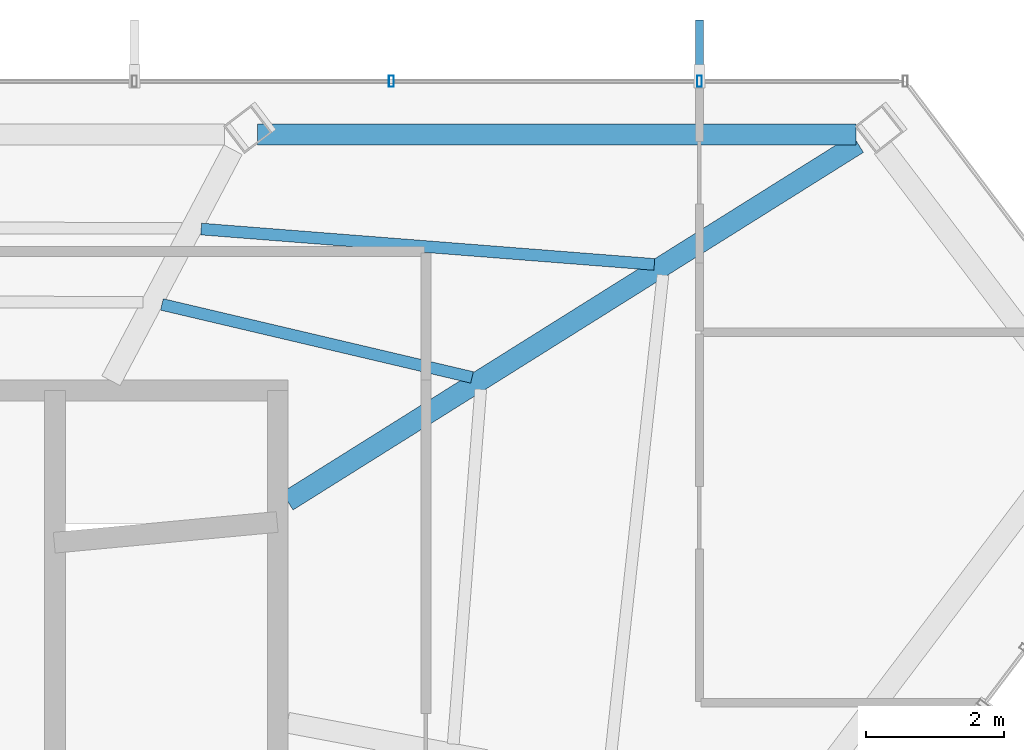
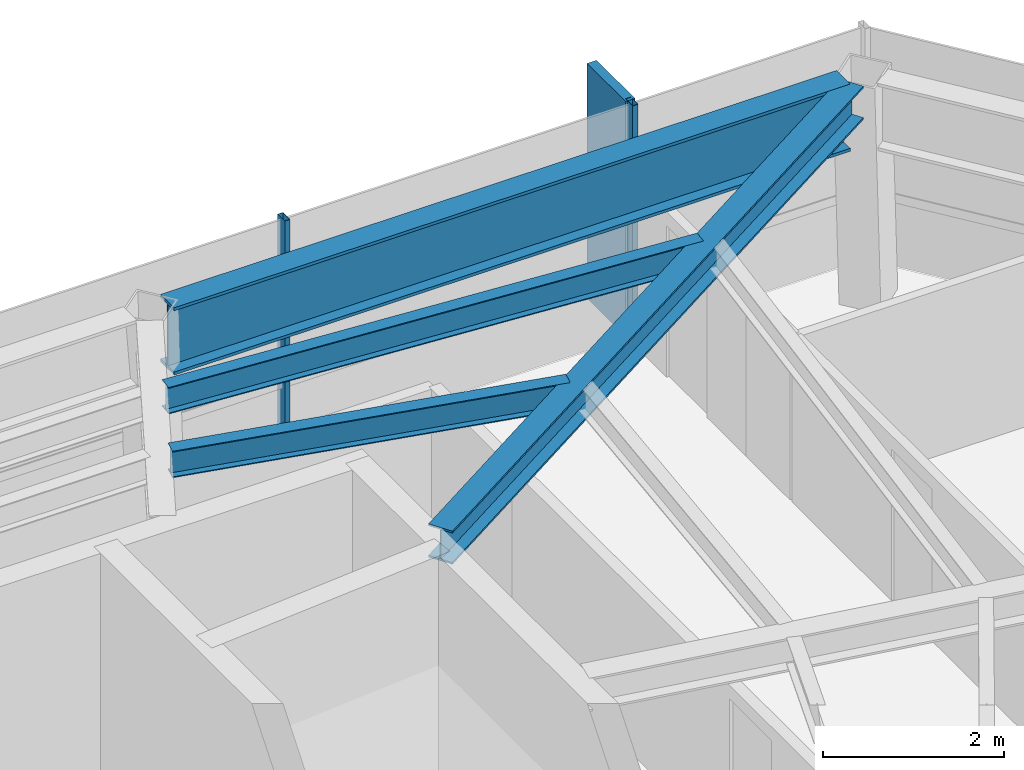
# One storey, part 19 of 26: 4 beams, 3 members, 1 element without a shape of its own.
"""IFC4 building model written with IfcOpenShell, lengths in metres."""

from ifc_helpers import new_model, si_unit, direction, frame, origin, origin_2d, place, context, subcontext, project, spatial, rectangle, hollow_rectangle, i_section, extrude, material, layer, layer_set, material_profile, profile_set, type_object, element, aggregate, save


model = new_model("IFC4")

# Units and contexts
model_context = context("Model", 3, precision=1e-05, world=origin(), true_north=direction((0.0, 1.0)))
body_context = subcontext(model_context, "Body", "Model", "MODEL_VIEW")
ifc_project = project(units=[si_unit("LENGTHUNIT", "METRE"), si_unit("AREAUNIT", "SQUARE_METRE"), si_unit("VOLUMEUNIT", "CUBIC_METRE"), si_unit("PLANEANGLEUNIT", "RADIAN"), si_unit("MASSUNIT", "GRAM", prefix="KILO")], contexts=[model_context])

# Site, building, storey
site_placement = place(None, origin())
site = spatial("IfcSite", under=ifc_project, at=site_placement, CompositionType="ELEMENT")
building_placement = place(site_placement, origin())
building = spatial("IfcBuilding", under=site, at=building_placement, Name="Zarrinselat Tower", CompositionType="ELEMENT")
storey_placement = place(building_placement, frame((0.0, 0.0, 265.199951171875)))
storey = spatial("IfcBuildingStorey", under=building, at=storey_placement, Name="L67", CompositionType="ELEMENT", Elevation=265.199951171875)

# Beams
ifc_material_1 = material(Name="Steel S355J2", Category="steel")
ifc_material_profile_1 = material_profile(ifc_material_1, i_section(OverallWidth=0.300048828125, OverallDepth=0.449951171875, WebThickness=0.013916015625, FlangeThickness=0.02587890625, at=origin_2d()), Name="HEB 450")
ifc_profile_set_1 = profile_set([ifc_material_profile_1], Name="Steel S355J2")
beam_type_1 = type_object("IfcBeamType", Name="BM-HEB450", PredefinedType="BEAM", material=ifc_profile_set_1)
beam_1_placement = place(storey_placement, frame((48.35009765625, 41.800048828125, 2.955078125), z_axis=(0.847257074066, 0.53118306679, 0.0), x_axis=(-0.53118306679, 0.847257074066, 0.0)))
element("IfcBeam", 1, at=beam_1_placement, inside=storey, type_object=beam_type_1, Name="L67 Radial Primary Girder RG01", PredefinedType="BEAM", context=body_context, shape_type="SweptSolid", body=[
    extrude(i_section(OverallWidth=0.300048828125, OverallDepth=0.449951171875, WebThickness=0.013916015625, FlangeThickness=0.02587890625, at=origin_2d()), origin(), (0.0, 0.0, 1.0), 9.7255859375),
])
ifc_material_2 = material(Name="Steel S460M", Category="steel")
ifc_material_profile_2 = material_profile(ifc_material_2, i_section(OverallWidth=0.302001953125, OverallDepth=0.909912109375, WebThickness=0.02099609375, FlangeThickness=0.0400390625, at=origin_2d()), Name="HEM 900")
ifc_profile_set_2 = profile_set([ifc_material_profile_2], Name="Steel S460M")
beam_type_2 = type_object("IfcBeamType", Name="BM-HEM900", PredefinedType="BEAM", material=ifc_profile_set_2)
beam_2_placement = place(storey_placement, frame((47.91748046875, 47.10009765625, 2.72509765625), z_axis=(1.0, 0.0, 0.0), x_axis=(0.0, 1.0, 0.0)))
element("IfcBeam", 2, at=beam_2_placement, inside=storey, type_object=beam_type_2, Name="L67 Perimeter Spandrel Girder SP01", PredefinedType="BEAM", context=body_context, shape_type="SweptSolid", body=[
    extrude(i_section(OverallWidth=0.302001953125, OverallDepth=0.909912109375, WebThickness=0.02099609375, FlangeThickness=0.0400390625, at=origin_2d()), origin(), (0.0, 0.0, 1.0), 8.648193359375),
])
ifc_material_3 = material(Name="Steel S355J2", Category="steel")
ifc_material_profile_3 = material_profile(ifc_material_3, i_section(OverallWidth=0.169921875, OverallDepth=0.360107421875, WebThickness=0.008056640625, FlangeThickness=0.0126953125, at=origin_2d()), Name="IPE 360")
ifc_profile_set_3 = profile_set([ifc_material_profile_3], Name="Steel S355J2")
beam_type_3 = type_object("IfcBeamType", Name="BM-IPE360", PredefinedType="JOIST", material=ifc_profile_set_3)
beam_3_placement = place(storey_placement, frame((47.102294921875, 45.731689453125, 3.0), z_axis=(0.996964802236, -0.077853600443, 0.0), x_axis=(0.077853600443, 0.996964802236, 0.0)))
element("IfcBeam", 3, at=beam_3_placement, inside=storey, type_object=beam_type_3, Name="L67 Composite Floor Joist 6-1", PredefinedType="JOIST", context=body_context, shape_type="SweptSolid", body=[
    extrude(i_section(OverallWidth=0.169921875, OverallDepth=0.360107421875, WebThickness=0.008056640625, FlangeThickness=0.0126953125, at=origin_2d()), origin(), (0.0, 0.0, 1.0), 6.566650390625),
])
beam_4_placement = place(storey_placement, frame((46.535400390625, 44.642578125, 3.0), z_axis=(0.973412993979, -0.229057074006, 0.0), x_axis=(0.229057074006, 0.973412993979, 0.0)))
element("IfcBeam", 4, at=beam_4_placement, inside=storey, type_object=beam_type_3, Name="L67 Composite Floor Joist 6-2", PredefinedType="JOIST", context=body_context, shape_type="SweptSolid", body=[
    extrude(i_section(OverallWidth=0.169921875, OverallDepth=0.360107421875, WebThickness=0.008056640625, FlangeThickness=0.0126953125, at=origin_2d()), origin(), (0.0, 0.0, 1.0), 4.602294921875),
])

# Curtain wall, members
ifc_material_4 = material(Name="Extruded Aluminium Alloy EN AW-6063 T6", Category="aluminium")
ifc_layer = layer(ifc_material_4, 0.169921875)
ifc_layer_set = layer_set([ifc_layer], Name="Extruded Aluminium Alloy EN AW-6063 T6")
curtain_wall_type = type_object("IfcCurtainWallType", Name="CWS-RES", PredefinedType="NOTDEFINED", material=ifc_layer_set)
curtain_wall_placement = place(storey_placement, origin())
curtain_wall = element("IfcCurtainWall", 5, at=curtain_wall_placement, inside=storey, type_object=curtain_wall_type, Name="L67 Unitised Curtain Wall CW-L67-E01", PredefinedType="NOTDEFINED")
ifc_material_5 = material(Name="Extruded Aluminium Alloy EN AW-6063 T6", Category="aluminium")
ifc_material_profile_4 = material_profile(ifc_material_5, hollow_rectangle(XDim=0.070068359375, YDim=0.159912109375, WallThickness=0.00390625, at=origin_2d()), Name="RHS 160x70x4")
ifc_profile_set_4 = profile_set([ifc_material_profile_4], Name="Extruded Aluminium Alloy EN AW-6063 T6")
member_type_1 = type_object("IfcMemberType", Name="MEM-CW-MUL2", PredefinedType="MULLION", material=ifc_profile_set_4)
member_1_placement = place(storey_placement, frame((54.301025390625, 47.86669921875, 0.0), z_axis=(0.0, 0.0, 1.0), x_axis=(-1.0, 0.0, 0.0)))
member_1 = element("IfcMember", 6, at=member_1_placement, type_object=member_type_1, Name="CW-L67-E01 Mullion 1", PredefinedType="MULLION", context=body_context, shape_type="SweptSolid", body=[
    extrude(hollow_rectangle(XDim=0.070068359375, YDim=0.159912109375, WallThickness=0.00390625, at=origin_2d()), origin(), (0.0, 0.0, 1.0), 3.179931640625),
])
member_2_placement = place(storey_placement, frame((49.850341796875, 47.86669921875, 0.0), z_axis=(0.0, 0.0, 1.0), x_axis=(-1.0, 0.0, 0.0)))
member_2 = element("IfcMember", 7, at=member_2_placement, type_object=member_type_1, Name="CW-L67-E01 Mullion 2", PredefinedType="MULLION", context=body_context, shape_type="SweptSolid", body=[
    extrude(hollow_rectangle(XDim=0.070068359375, YDim=0.159912109375, WallThickness=0.00390625, at=origin_2d()), origin(), (0.0, 0.0, 1.0), 3.179931640625),
])
ifc_material_6 = material(Name="Honed Cream Travertine Stone", Category="masonry")
ifc_material_profile_5 = material_profile(ifc_material_6, rectangle(XDim=0.1201171875, YDim=0.85009765625, at=origin_2d()), Name="FIN 850x120")
ifc_profile_set_5 = profile_set([ifc_material_profile_5], Name="Honed Cream Travertine Stone")
member_type_2 = type_object("IfcMemberType", Name="MEM-STONE-FIN", PredefinedType="USERDEFINED", material=ifc_profile_set_5)
member_3_placement = place(storey_placement, frame((54.301025390625, 48.32666015625, 0.0), z_axis=(0.0, 0.0, 1.0), x_axis=(1.0, 0.0, 0.0)))
member_3 = element("IfcMember", 8, at=member_3_placement, type_object=member_type_2, Name="L67 Stone Shading Fin CW-L67-E01-01", ObjectType="FIN", PredefinedType="USERDEFINED", context=body_context, shape_type="SweptSolid", body=[
    extrude(rectangle(XDim=0.1201171875, YDim=0.85009765625, at=origin_2d()), origin(), (0.0, 0.0, 1.0), 3.179931640625),
])
aggregate(curtain_wall, [member_1, member_3, member_2])

save(model, "model.ifc")
